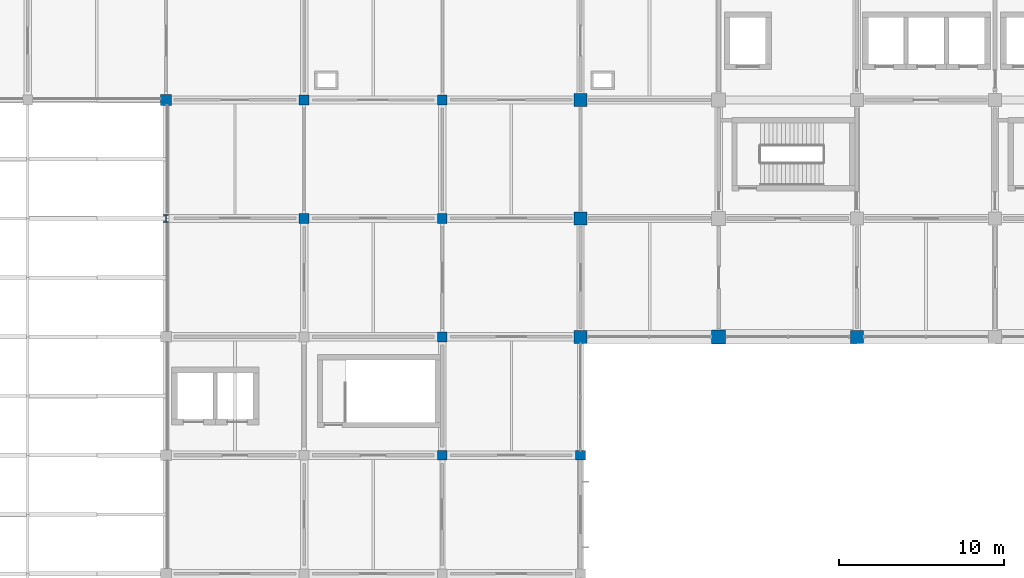
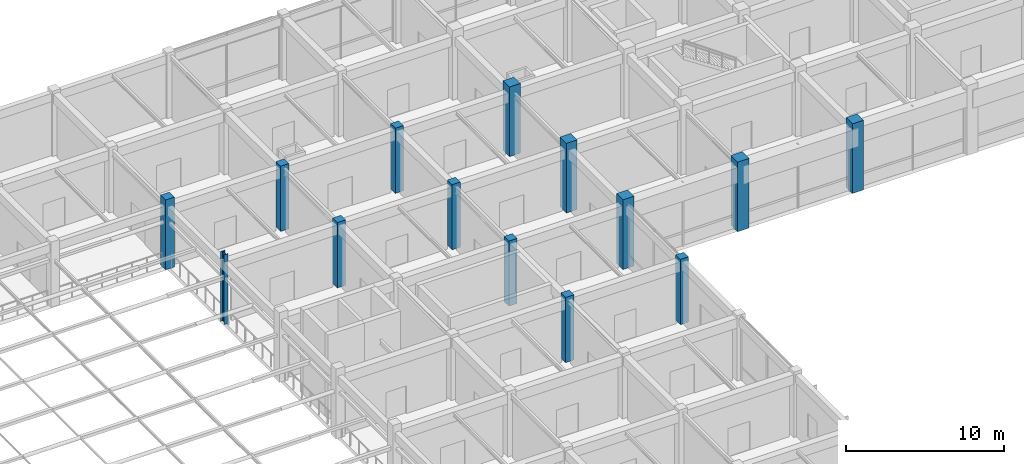
# One storey, part 4 of 38: 14 columns.
"""IFC4 building model written with IfcOpenShell, lengths in metres."""

from ifc_helpers import new_model, si_unit, derived_unit, direction, frame, origin, origin_2d, place, context, subcontext, project, spatial, rectangle, i_section, extrude, material, material_profile, profile_set, type_object, element, save


model = new_model("IFC4")

# Units and contexts
model_context = context("Model", 3, precision=1e-05, world=origin(), true_north=direction((0.0, 1.0)))
body_context = subcontext(model_context, "Body", "Model", "MODEL_VIEW")
ifc_project = project(units=[si_unit("LENGTHUNIT", "METRE"), si_unit("AREAUNIT", "SQUARE_METRE"), si_unit("VOLUMEUNIT", "CUBIC_METRE"), si_unit("PLANEANGLEUNIT", "RADIAN"), si_unit("MASSUNIT", "GRAM", prefix="KILO"), derived_unit("THERMALTRANSMITTANCEUNIT", [(si_unit("MASSUNIT", "GRAM", prefix="KILO"), 1), (si_unit("TIMEUNIT", "SECOND"), -3), (si_unit("THERMODYNAMICTEMPERATUREUNIT", "KELVIN"), -1)])], contexts=[model_context])

# Site, building, storey
site_placement = place(None, origin())
site = spatial("IfcSite", under=ifc_project, at=site_placement, CompositionType="ELEMENT")
building_placement = place(site_placement, origin())
building = spatial("IfcBuilding", under=site, at=building_placement, Name="Veldstrom Oceanarium and Marine Research Institute", CompositionType="ELEMENT")
storey_placement = place(building_placement, frame((0.0, 0.0, 16.800048828125)))
storey = spatial("IfcBuildingStorey", under=building, at=storey_placement, Name="L03", CompositionType="ELEMENT", Elevation=16.800048828125)

# Columns
ifc_material_1 = material(Name="Concrete C50/60", Category="concrete")
ifc_material_profile_1 = material_profile(ifc_material_1, rectangle(XDim=0.85009765625, YDim=0.85009765625, at=origin_2d()), Name="RC-COL-850x850")
ifc_profile_set_1 = profile_set([ifc_material_profile_1], Name="Concrete C50/60")
column_type_1 = type_object("IfcColumnType", Name="STR-COL-C03", PredefinedType="COLUMN", material=ifc_profile_set_1)
column_1_placement = place(storey_placement, frame((75.60009765625, 43.199951171875, 0.0), z_axis=(0.0, 0.0, 1.0), x_axis=(1.0, 0.0, 0.0)))
element("IfcColumn", 1, at=column_1_placement, inside=storey, type_object=column_type_1, Name="Column C03 10/G L03", PredefinedType="COLUMN", context=body_context, shape_type="SweptSolid", body=[
    extrude(rectangle(XDim=0.85009765625, YDim=0.85009765625, at=origin_2d()), origin(), (0.0, 0.0, 1.0), 5.39990234375),
])
ifc_material_2 = material(Name="Concrete C50/60", Category="concrete")
ifc_material_profile_2 = material_profile(ifc_material_2, rectangle(XDim=0.800048828125, YDim=0.800048828125, at=origin_2d()), Name="RC-COL-800x800")
ifc_profile_set_2 = profile_set([ifc_material_profile_2], Name="Concrete C50/60")
column_type_2 = type_object("IfcColumnType", Name="STR-COL-C04", PredefinedType="COLUMN", material=ifc_profile_set_2)
for number, where, z_axis, x_axis, name in (
    (2, (67.199951171875, 43.199951171875, 0.0), (0.0, 0.0, 1.0), (1.0, 0.0, 0.0), "Column C04 9/G L03"),
    (3, (67.199951171875, 50.39990234375, 0.0), (0.0, 0.0, 1.0), (1.0, 0.0, 0.0), "Column C04 9/H L03"),
    (4, (67.199951171875, 57.60009765625, 0.0), (0.0, 0.0, 1.0), (1.0, 0.0, 0.0), "Column C04 9/J L03"),
    (5, (84.0, 43.199951171875, 0.0), (0.0, 0.0, 1.0), (1.0, 0.0, 0.0), "Column C04 11/G L03"),
):
    element("IfcColumn", number, at=place(storey_placement, frame(where, z_axis=z_axis, x_axis=x_axis)), inside=storey, type_object=column_type_2, Name=name, PredefinedType="COLUMN", context=body_context, shape_type="SweptSolid", body=[
        extrude(rectangle(XDim=0.800048828125, YDim=0.800048828125, at=origin_2d()), origin(), (0.0, 0.0, 1.0), 5.39990234375),
    ])
ifc_material_3 = material(Name="Concrete C50/60", Category="concrete")
ifc_material_profile_3 = material_profile(ifc_material_3, rectangle(XDim=0.64990234375, YDim=0.64990234375, at=origin_2d()), Name="RC-COL-650x650")
ifc_profile_set_3 = profile_set([ifc_material_profile_3], Name="Concrete C50/60")
column_type_3 = type_object("IfcColumnType", Name="STR-COL-C07", PredefinedType="COLUMN", material=ifc_profile_set_3)
column_2_placement = place(storey_placement, frame((42.0, 57.60009765625, 0.0), z_axis=(0.0, 0.0, 1.0), x_axis=(1.0, 0.0, 0.0)))
element("IfcColumn", 6, at=column_2_placement, inside=storey, type_object=column_type_3, Name="Column C07 6/J L03", PredefinedType="COLUMN", context=body_context, shape_type="SweptSolid", body=[
    extrude(rectangle(XDim=0.64990234375, YDim=0.64990234375, at=origin_2d()), origin(), (0.0, 0.0, 1.0), 5.39990234375),
])
ifc_material_4 = material(Name="Concrete C50/60", Category="concrete")
ifc_material_profile_4 = material_profile(ifc_material_4, rectangle(XDim=0.60009765625, YDim=0.60009765625, at=origin_2d()), Name="RC-COL-600x600")
ifc_profile_set_4 = profile_set([ifc_material_profile_4], Name="Concrete C50/60")
column_type_4 = type_object("IfcColumnType", Name="STR-COL-C08", PredefinedType="COLUMN", material=ifc_profile_set_4)
for number, where, z_axis, x_axis, name in (
    (7, (50.39990234375, 50.39990234375, 0.0), (0.0, 0.0, 1.0), (1.0, 0.0, 0.0), "Column C08 7/H L03"),
    (8, (50.39990234375, 57.60009765625, 0.0), (0.0, 0.0, 1.0), (1.0, 0.0, 0.0), "Column C08 7/J L03"),
    (9, (58.800048828125, 36.0, 0.0), (0.0, 0.0, 1.0), (1.0, 0.0, 0.0), "Column C08 8/F L03"),
    (10, (58.800048828125, 43.199951171875, 0.0), (0.0, 0.0, 1.0), (1.0, 0.0, 0.0), "Column C08 8/G L03"),
    (11, (58.800048828125, 50.39990234375, 0.0), (0.0, 0.0, 1.0), (1.0, 0.0, 0.0), "Column C08 8/H L03"),
    (12, (58.800048828125, 57.60009765625, 0.0), (0.0, 0.0, 1.0), (1.0, 0.0, 0.0), "Column C08 8/J L03"),
    (13, (67.199951171875, 36.0, 0.0), (0.0, 0.0, 1.0), (1.0, 0.0, 0.0), "Column C08 9/F L03"),
):
    element("IfcColumn", number, at=place(storey_placement, frame(where, z_axis=z_axis, x_axis=x_axis)), inside=storey, type_object=column_type_4, Name=name, PredefinedType="COLUMN", context=body_context, shape_type="SweptSolid", body=[
        extrude(rectangle(XDim=0.60009765625, YDim=0.60009765625, at=origin_2d()), origin(), (0.0, 0.0, 1.0), 5.050048828125),
    ])
ifc_material_5 = material(Name="Steel S355JR", Category="steel")
ifc_material_profile_5 = material_profile(ifc_material_5, i_section(OverallWidth=0.300048828125, OverallDepth=0.449951171875, WebThickness=0.013916015625, FlangeThickness=0.02587890625, FilletRadius=0.027099609375, at=origin_2d()), Name="HEB 450")
ifc_profile_set_5 = profile_set([ifc_material_profile_5], Name="Steel S355JR")
column_type_5 = type_object("IfcColumnType", Name="STR-COL-C18", PredefinedType="COLUMN", material=ifc_profile_set_5)
column_3_placement = place(storey_placement, frame((42.0, 50.39990234375, 0.0), z_axis=(0.0, 0.0, 1.0), x_axis=(1.0, 0.0, 0.0)))
element("IfcColumn", 14, at=column_3_placement, inside=storey, type_object=column_type_5, Name="Column C18 6/H L03", PredefinedType="COLUMN", context=body_context, shape_type="SweptSolid", body=[
    extrude(i_section(OverallWidth=0.300048828125, OverallDepth=0.449951171875, WebThickness=0.013916015625, FlangeThickness=0.02587890625, FilletRadius=0.027099609375, at=origin_2d()), origin(), (0.0, 0.0, 1.0), 5.39990234375),
])

save(model, "model.ifc")
